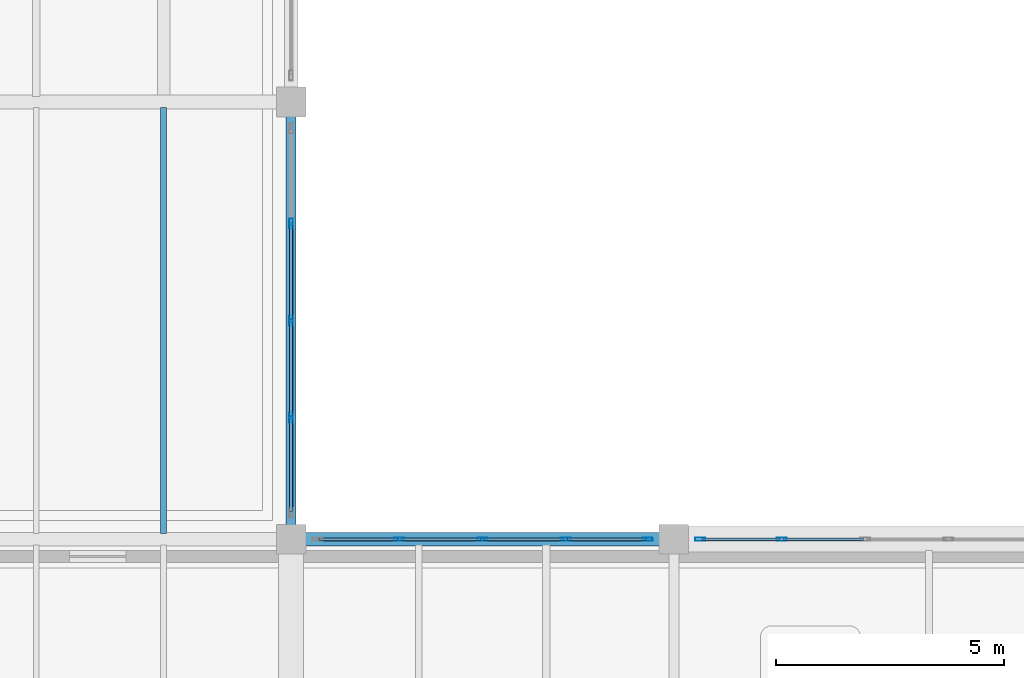
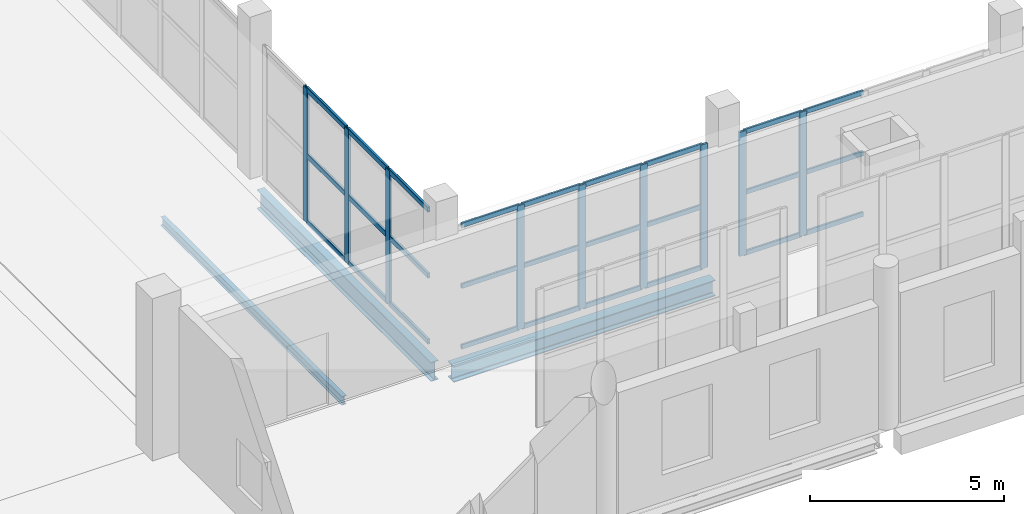
# One storey, part 18 of 73: 36 members, 3 beams, 3 elements without a shape of their own.
"""IFC4 building model written with IfcOpenShell, lengths in metres."""

import ifcopenshell
import ifcopenshell.guid

model = None  # the IFC model being written
_history = None  # IfcOwnerHistory: only IFC2X3 demands one
_inside = {}  # id of a spatial element -> (the spatial element, [elements in it])
_under = {}  # id of a project, library or spatial element -> (it, [spatial elements below it])
_declared = {}  # id of a project -> (the project, [libraries it declares])
_typed = {}  # id of a type object -> (the type object, [elements of that type])
_made_of = {}  # id of a material, layer set ... -> (it, [elements and type objects made of it])


def new_model(schema):
    """Start an empty IFC model of exactly this schema.

    Asked for "IFC4X3", IfcOpenShell would pick the latest addendum, in which some entities
    have other attributes; the version numbers below select the first issue.
    IFC2X3 requires an IfcOwnerHistory on every rooted entity: one is made here for all.
    """
    global model, _history
    if schema == "IFC4X3":
        model = ifcopenshell.file(schema_version=(4, 3, 0, 0))
    else:
        model = ifcopenshell.file(schema=schema)
    _inside.clear()
    _under.clear()
    _declared.clear()
    _typed.clear()
    _made_of.clear()
    _history = None
    if model.schema == "IFC2X3":
        org = make("IfcOrganization", Name="unknown")
        user = make(
            "IfcPersonAndOrganization",
            ThePerson=make("IfcPerson", FamilyName="unknown"),
            TheOrganization=org,
        )
        app = make(
            "IfcApplication",
            ApplicationDeveloper=org,
            Version="unknown",
            ApplicationFullName="unknown",
            ApplicationIdentifier="unknown",
        )
        _history = make(
            "IfcOwnerHistory",
            OwningUser=user,
            OwningApplication=app,
            ChangeAction="ADDED",
            CreationDate=0,
        )
    return model


def make(cls, **values):
    """One entity of the class cls with the attributes given. An attribute that is None is left unset."""
    return model.create_entity(
        cls, **{name: value for name, value in values.items() if value is not None}
    )


def rooted(cls, **values):
    """An entity with a GlobalId (a new one), such as an element, a storey or a relation."""
    return make(cls, GlobalId=ifcopenshell.guid.new(), OwnerHistory=_history, **values)


def si_unit(unit_type, name, prefix=None):
    """IfcSIUnit, for example si_unit("LENGTHUNIT", "METRE", prefix="MILLI")."""
    return make("IfcSIUnit", UnitType=unit_type, Prefix=prefix, Name=name)


def assignment(units):
    """IfcUnitAssignment: the units of a project."""
    return None if units is None else make("IfcUnitAssignment", Units=units)


def point(xyz):
    """IfcCartesianPoint."""
    return None if xyz is None else make("IfcCartesianPoint", Coordinates=xyz)


def direction(xyz):
    """IfcDirection."""
    return None if xyz is None else make("IfcDirection", DirectionRatios=xyz)


def frame(location, z_axis=None, x_axis=None):
    """IfcAxis2Placement3D, a coordinate frame: its origin and axes. An axis left out is left unset."""
    return make(
        "IfcAxis2Placement3D",
        Location=point(location),
        Axis=direction(z_axis),
        RefDirection=direction(x_axis),
    )


def frame_2d(location, x_axis=None):
    """IfcAxis2Placement2D, a coordinate frame in the plane: its origin and x axis."""
    return make(
        "IfcAxis2Placement2D", Location=point(location), RefDirection=direction(x_axis)
    )


def origin():
    """The frame at (0, 0, 0) with its axes left unset."""
    return frame((0.0, 0.0, 0.0))


def origin_2d():
    """The frame at (0, 0) in the plane with its x axis left unset."""
    return frame_2d((0.0, 0.0))


def place(relative_to, where):
    """IfcLocalPlacement: puts the frame where relative to a parent placement (None: the world)."""
    return make(
        "IfcLocalPlacement", PlacementRelTo=relative_to, RelativePlacement=where
    )


def context(
    kind, dimensions, precision=None, world=None, true_north=None, identifier=None
):
    """IfcGeometricRepresentationContext, for example the 3D "Model" context."""
    return make(
        "IfcGeometricRepresentationContext",
        ContextIdentifier=identifier,
        ContextType=kind,
        CoordinateSpaceDimension=dimensions,
        Precision=precision,
        WorldCoordinateSystem=world,
        TrueNorth=true_north,
    )


def subcontext(parent, identifier, kind, view, scale=None):
    """IfcGeometricRepresentationSubContext, for example "Body" below "Model"."""
    return make(
        "IfcGeometricRepresentationSubContext",
        ContextIdentifier=identifier,
        ContextType=kind,
        ParentContext=parent,
        TargetScale=scale,
        TargetView=view,
    )


def project(units=None, contexts=None):
    """IfcProject with its units and contexts."""
    return rooted(
        "IfcProject",
        Name="project",
        RepresentationContexts=contexts,
        UnitsInContext=assignment(units),
    )


def spatial(cls, under=None, at=None, **own):
    """A site, building, storey or space (cls), placed at a placement, below another one or the project."""
    s = rooted(cls, ObjectPlacement=at, **own)
    if under is not None:
        _under.setdefault(under.id(), (under, []))[1].append(s)
    return s


def profile(cls, at=None, kind="AREA", **sizes):
    """A parametric profile (cls). Its sizes go by their IFC names, for example OverallWidth=200.0."""
    return make(cls, ProfileType=kind, Position=at, **sizes)


def hollow_rectangle(**sizes):
    """IfcRectangleHollowProfileDef."""
    return profile("IfcRectangleHollowProfileDef", **sizes)


def i_section(**sizes):
    """IfcIShapeProfileDef."""
    return profile("IfcIShapeProfileDef", **sizes)


def extrude(swept, where, along, depth):
    """IfcExtrudedAreaSolid: the profile swept, set in the frame where, extruded along a direction by depth."""
    return make(
        "IfcExtrudedAreaSolid",
        SweptArea=swept,
        Position=where,
        ExtrudedDirection=direction(along),
        Depth=depth,
    )


def shape(context_of_items, identifier, shape_type, items):
    """IfcShapeRepresentation: the items that make up one representation, for example the "Body"."""
    return make(
        "IfcShapeRepresentation",
        ContextOfItems=context_of_items,
        RepresentationIdentifier=identifier,
        RepresentationType=shape_type,
        Items=items,
    )


def material(Name=None, Category=None):
    """IfcMaterial."""
    return make("IfcMaterial", Name=Name, Category=Category)


def layer(
    of_material, thickness, ventilated=None, Name=None, Category=None, Priority=None
):
    """IfcMaterialLayer: one layer of a wall or slab, of a material (None: an air gap)."""
    return make(
        "IfcMaterialLayer",
        Material=of_material,
        LayerThickness=thickness,
        IsVentilated=ventilated,
        Name=Name,
        Category=Category,
        Priority=Priority,
    )


def layer_set(layers, Name=None):
    """IfcMaterialLayerSet."""
    return make("IfcMaterialLayerSet", MaterialLayers=layers, LayerSetName=Name)


def material_profile(
    of_material, cross_section, Name=None, Category=None, Priority=None
):
    """IfcMaterialProfile: a cross section and its material."""
    return make(
        "IfcMaterialProfile",
        Name=Name,
        Material=of_material,
        Profile=cross_section,
        Priority=Priority,
        Category=Category,
    )


def profile_set(profiles, Name=None, composite=None):
    """IfcMaterialProfileSet."""
    return make(
        "IfcMaterialProfileSet",
        Name=Name,
        MaterialProfiles=profiles,
        CompositeProfile=composite,
    )


def made_of(thing, what):
    """Note that an element or type object is made of a material, layer set ...; save() writes the relation."""
    if what is not None:
        _made_of.setdefault(what.id(), (what, []))[1].append(thing)
    return thing


def type_object(cls, material=None, **own):
    """A type object (cls), such as IfcWallType, which elements share."""
    return made_of(rooted(cls, **own), material)


def element(
    cls,
    number,
    at=None,
    inside=None,
    cuts=None,
    type_object=None,
    material=None,
    context=None,
    identifier="Body",
    shape_type=None,
    held_by="IfcProductDefinitionShape",
    body=None,
    shapes=None,
    **own,
):
    """One element of the class cls, such as IfcWall. Its Tag is "e" and its number.

    at: its placement. inside: the storey or other place that contains it. cuts: it is an
    opening in that element (IfcRelVoidsElement). A single representation is given by context,
    identifier, shape_type and body (its items); several are given by shapes. held_by: the class
    of the entity that holds the representations. save() writes the other relations.
    """
    e = rooted(cls, Tag="e%d" % number, ObjectPlacement=at, **own)
    if body is not None:
        shapes = [shape(context, identifier, shape_type, body)]
    if shapes is not None:
        e.Representation = make(held_by, Representations=shapes)
    if inside is not None:
        _inside.setdefault(inside.id(), (inside, []))[1].append(e)
    if cuts is not None:
        rooted(
            "IfcRelVoidsElement", RelatingBuildingElement=cuts, RelatedOpeningElement=e
        )
    if type_object is not None:
        _typed.setdefault(type_object.id(), (type_object, []))[1].append(e)
    return made_of(e, material)


def aggregate(whole, parts):
    """IfcRelAggregates: a whole, such as a stair, and the parts it consists of."""
    return rooted("IfcRelAggregates", RelatingObject=whole, RelatedObjects=parts)


def save(model, path):
    """Write the relations noted so far, then the file.

    IfcRelAggregates (storeys below a building ...), IfcRelContainedInSpatialStructure (elements
    in a storey), IfcRelDefinesByType, IfcRelAssociatesMaterial and IfcRelDeclares: one each for
    every whole, place, type object, material and project.
    """
    for whole, parts in _under.values():
        aggregate(whole, parts)
    for where, things in _inside.values():
        rooted(
            "IfcRelContainedInSpatialStructure",
            RelatedElements=things,
            RelatingStructure=where,
        )
    for kind, things in _typed.values():
        rooted("IfcRelDefinesByType", RelatedObjects=things, RelatingType=kind)
    for what, things in _made_of.values():
        rooted("IfcRelAssociatesMaterial", RelatedObjects=things, RelatingMaterial=what)
    for by, libraries in _declared.values():
        rooted("IfcRelDeclares", RelatingContext=by, RelatedDefinitions=libraries)
    model.write(path)


model = new_model("IFC4")

# Units and contexts
model_context = context("Model", 3, precision=1e-05, world=origin(), true_north=direction((0.0, 1.0)))
body_context = subcontext(model_context, "Body", "Model", "MODEL_VIEW")
ifc_project = project(units=[si_unit("LENGTHUNIT", "METRE"), si_unit("AREAUNIT", "SQUARE_METRE"), si_unit("VOLUMEUNIT", "CUBIC_METRE"), si_unit("PLANEANGLEUNIT", "RADIAN"), si_unit("MASSUNIT", "GRAM", prefix="KILO")], contexts=[model_context])

# Site, building, storey
site_placement = place(None, origin())
site = spatial("IfcSite", under=ifc_project, at=site_placement, CompositionType="ELEMENT")
building_placement = place(site_placement, origin())
building = spatial("IfcBuilding", under=site, at=building_placement, Name="Zulmaris Art Gallery", CompositionType="ELEMENT")
storey_placement = place(building_placement, frame((0.0, 0.0, 10.5)))
storey = spatial("IfcBuildingStorey", under=building, at=storey_placement, Name="L02", CompositionType="ELEMENT", Elevation=10.5)

# Beams
ifc_material_1 = material(Name="Steel S355J2", Category="steel")
ifc_material_profile_1 = material_profile(ifc_material_1, i_section(OverallWidth=0.219970703125, OverallDepth=0.60009765625, WebThickness=0.011962890625, FlangeThickness=0.01904296875, FilletRadius=0.02392578125, at=origin_2d()), Name="IPE 600")
ifc_profile_set_1 = profile_set([ifc_material_profile_1], Name="Steel S355J2")
beam_type_1 = type_object("IfcBeamType", Name="BEAM-BM07", PredefinedType="BEAM", material=ifc_profile_set_1)
beam_1_placement = place(storey_placement, frame((91.199951171875, 21.909912109375, -0.699951171875), z_axis=(0.0, 1.0, 0.0), x_axis=(-1.0, 0.0, 0.0)))
element("IfcBeam", 1, at=beam_1_placement, inside=storey, type_object=beam_type_1, Name="L02 Y-girder (x=91.2, 21.6..31.2)", PredefinedType="BEAM", context=body_context, shape_type="SweptSolid", body=[
    extrude(i_section(OverallWidth=0.219970703125, OverallDepth=0.60009765625, WebThickness=0.011962890625, FlangeThickness=0.01904296875, FilletRadius=0.02392578125, at=origin_2d()), origin(), (0.0, 0.0, 1.0), 8.97998046875),
])
ifc_material_profile_2 = material_profile(ifc_material_1, i_section(OverallWidth=0.300048828125, OverallDepth=0.5, WebThickness=0.014404296875, FlangeThickness=0.028076171875, FilletRadius=0.027099609375, at=origin_2d()), Name="HEB 500")
ifc_profile_set_2 = profile_set([ifc_material_profile_2], Name="Steel S355J2")
beam_type_2 = type_object("IfcBeamType", Name="BEAM-BM14", PredefinedType="BEAM", material=ifc_profile_set_2)
beam_2_placement = place(storey_placement, frame((91.510009765625, 21.60009765625, -0.64501953125), z_axis=(1.0, 0.0, 0.0), x_axis=(0.0, 1.0, 0.0)))
element("IfcBeam", 2, at=beam_2_placement, inside=storey, type_object=beam_type_2, Name="L02 X-girder (91.2..99.6, y=21.6)", PredefinedType="BEAM", context=body_context, shape_type="SweptSolid", body=[
    extrude(i_section(OverallWidth=0.300048828125, OverallDepth=0.5, WebThickness=0.014404296875, FlangeThickness=0.028076171875, FilletRadius=0.027099609375, at=origin_2d()), origin(), (0.0, 0.0, 1.0), 7.780029296875),
])
ifc_material_profile_3 = material_profile(ifc_material_1, i_section(OverallWidth=0.135009765625, OverallDepth=0.27001953125, WebThickness=0.006591796875, FlangeThickness=0.01025390625, FilletRadius=0.014892578125, at=origin_2d()), Name="IPE 270")
ifc_profile_set_3 = profile_set([ifc_material_profile_3], Name="Steel S355J2")
beam_type_3 = type_object("IfcBeamType", Name="BEAM-JS02", PredefinedType="JOIST", material=ifc_profile_set_3)
beam_3_placement = place(storey_placement, frame((88.39990234375, 21.72509765625, -0.534912109375), z_axis=(0.0, 1.0, 0.0), x_axis=(-1.0, 0.0, 0.0)))
element("IfcBeam", 3, at=beam_3_placement, inside=storey, type_object=beam_type_3, Name="L02 secondary joist at x=88.4", PredefinedType="JOIST", context=body_context, shape_type="SweptSolid", body=[
    extrude(i_section(OverallWidth=0.135009765625, OverallDepth=0.27001953125, WebThickness=0.006591796875, FlangeThickness=0.01025390625, FilletRadius=0.014892578125, at=origin_2d()), origin(), (0.0, 0.0, 1.0), 9.349853515625),
])

# Curtain wall, members
ifc_material_2 = material(Name="Cloister & Court Glazed Curtain Wall", Category="aluminium")
ifc_layer = layer(ifc_material_2, 0.179931640625)
ifc_layer_set = layer_set([ifc_layer], Name="Cloister & Court Glazed Curtain Wall")
curtain_wall_type = type_object("IfcCurtainWallType", Name="CW-CW03", PredefinedType="NOTDEFINED", material=ifc_layer_set)
curtain_wall_1_placement = place(storey_placement, origin())
curtain_wall_1 = element("IfcCurtainWall", 4, at=curtain_wall_1_placement, inside=storey, type_object=curtain_wall_type, Name="L02 curtain wall 78", PredefinedType="NOTDEFINED")
ifc_material_3 = material(Name="Anodised Bronze Aluminium", Category="aluminium")
ifc_material_profile_4 = material_profile(ifc_material_3, hollow_rectangle(XDim=0.074951171875, YDim=0.219970703125, WallThickness=0.0048828125, InnerFilletRadius=0.007568359375, OuterFilletRadius=0.012451171875, at=origin_2d()), Name="ALU 75x220x5")
ifc_profile_set_4 = profile_set([ifc_material_profile_4], Name="Anodised Bronze Aluminium")
member_type_1 = type_object("IfcMemberType", Name="CWMUL-02", PredefinedType="MULLION", material=ifc_profile_set_4)
member_1_placement = place(storey_placement, frame((91.199951171875, 28.530029296875, 0.0), z_axis=(0.0, 0.0, 1.0), x_axis=(1.0, 0.0, 0.0)))
member_1 = element("IfcMember", 5, at=member_1_placement, type_object=member_type_1, Name="CW03 mullion 2", PredefinedType="MULLION", context=body_context, shape_type="SweptSolid", body=[
    extrude(hollow_rectangle(XDim=0.074951171875, YDim=0.219970703125, WallThickness=0.0048828125, InnerFilletRadius=0.007568359375, OuterFilletRadius=0.012451171875, at=origin_2d()), origin(), (0.0, 0.0, 1.0), 4.22998046875),
])
member_2_placement = place(storey_placement, frame((91.199951171875, 26.39990234375, 0.0), z_axis=(0.0, 0.0, 1.0), x_axis=(1.0, 0.0, 0.0)))
member_2 = element("IfcMember", 6, at=member_2_placement, type_object=member_type_1, Name="CW03 mullion 3", PredefinedType="MULLION", context=body_context, shape_type="SweptSolid", body=[
    extrude(hollow_rectangle(XDim=0.074951171875, YDim=0.219970703125, WallThickness=0.0048828125, InnerFilletRadius=0.007568359375, OuterFilletRadius=0.012451171875, at=origin_2d()), origin(), (0.0, 0.0, 1.0), 4.22998046875),
])
member_3_placement = place(storey_placement, frame((91.199951171875, 24.27001953125, 0.0), z_axis=(0.0, 0.0, 1.0), x_axis=(1.0, 0.0, 0.0)))
member_3 = element("IfcMember", 7, at=member_3_placement, type_object=member_type_1, Name="CW03 mullion 4", PredefinedType="MULLION", context=body_context, shape_type="SweptSolid", body=[
    extrude(hollow_rectangle(XDim=0.074951171875, YDim=0.219970703125, WallThickness=0.0048828125, InnerFilletRadius=0.007568359375, OuterFilletRadius=0.012451171875, at=origin_2d()), origin(), (0.0, 0.0, 1.0), 4.22998046875),
])

curtain_wall_2_placement = place(storey_placement, origin())
curtain_wall_2 = element("IfcCurtainWall", 8, at=curtain_wall_2_placement, inside=storey, type_object=curtain_wall_type, Name="L02 curtain wall 193", PredefinedType="NOTDEFINED")
member_4_placement = place(storey_placement, frame((93.570068359375, 21.60009765625, 0.0), z_axis=(0.0, 0.0, 1.0), x_axis=(0.0, 1.0, 0.0)))
member_4 = element("IfcMember", 9, at=member_4_placement, type_object=member_type_1, Name="CW03 mullion 2", PredefinedType="MULLION", context=body_context, shape_type="SweptSolid", body=[
    extrude(hollow_rectangle(XDim=0.074951171875, YDim=0.219970703125, WallThickness=0.0048828125, InnerFilletRadius=0.007568359375, OuterFilletRadius=0.012451171875, at=origin_2d()), origin(), (0.0, 0.0, 1.0), 3.89990234375),
])
member_5_placement = place(storey_placement, frame((95.39990234375, 21.60009765625, 0.0), z_axis=(0.0, 0.0, 1.0), x_axis=(0.0, 1.0, 0.0)))
member_5 = element("IfcMember", 10, at=member_5_placement, type_object=member_type_1, Name="CW03 mullion 3", PredefinedType="MULLION", context=body_context, shape_type="SweptSolid", body=[
    extrude(hollow_rectangle(XDim=0.074951171875, YDim=0.219970703125, WallThickness=0.0048828125, InnerFilletRadius=0.007568359375, OuterFilletRadius=0.012451171875, at=origin_2d()), origin(), (0.0, 0.0, 1.0), 3.89990234375),
])
member_6_placement = place(storey_placement, frame((97.22998046875, 21.60009765625, 0.0), z_axis=(0.0, 0.0, 1.0), x_axis=(0.0, 1.0, 0.0)))
member_6 = element("IfcMember", 11, at=member_6_placement, type_object=member_type_1, Name="CW03 mullion 4", PredefinedType="MULLION", context=body_context, shape_type="SweptSolid", body=[
    extrude(hollow_rectangle(XDim=0.074951171875, YDim=0.219970703125, WallThickness=0.0048828125, InnerFilletRadius=0.007568359375, OuterFilletRadius=0.012451171875, at=origin_2d()), origin(), (0.0, 0.0, 1.0), 3.89990234375),
])
member_7_placement = place(storey_placement, frame((99.0224609375, 21.60009765625, 0.0), z_axis=(0.0, 0.0, 1.0), x_axis=(0.0, 1.0, 0.0)))
member_7 = element("IfcMember", 12, at=member_7_placement, type_object=member_type_1, Name="CW03 mullion 5", PredefinedType="MULLION", context=body_context, shape_type="SweptSolid", body=[
    extrude(hollow_rectangle(XDim=0.074951171875, YDim=0.219970703125, WallThickness=0.0048828125, InnerFilletRadius=0.007568359375, OuterFilletRadius=0.012451171875, at=origin_2d()), origin(), (0.0, 0.0, 1.0), 3.89990234375),
])

curtain_wall_3_placement = place(storey_placement, origin())
curtain_wall_3 = element("IfcCurtainWall", 13, at=curtain_wall_3_placement, inside=storey, type_object=curtain_wall_type, Name="L02 curtain wall 194", PredefinedType="NOTDEFINED")
member_8_placement = place(storey_placement, frame((100.177490234375, 21.60009765625, 0.0), z_axis=(0.0, 0.0, 1.0), x_axis=(0.0, 1.0, 0.0)))
member_8 = element("IfcMember", 14, at=member_8_placement, type_object=member_type_1, Name="CW03 mullion 1", PredefinedType="MULLION", context=body_context, shape_type="SweptSolid", body=[
    extrude(hollow_rectangle(XDim=0.074951171875, YDim=0.219970703125, WallThickness=0.0048828125, InnerFilletRadius=0.007568359375, OuterFilletRadius=0.012451171875, at=origin_2d()), origin(), (0.0, 0.0, 1.0), 3.89990234375),
])
member_9_placement = place(storey_placement, frame((101.969970703125, 21.60009765625, 0.0), z_axis=(0.0, 0.0, 1.0), x_axis=(0.0, 1.0, 0.0)))
member_9 = element("IfcMember", 15, at=member_9_placement, type_object=member_type_1, Name="CW03 mullion 2", PredefinedType="MULLION", context=body_context, shape_type="SweptSolid", body=[
    extrude(hollow_rectangle(XDim=0.074951171875, YDim=0.219970703125, WallThickness=0.0048828125, InnerFilletRadius=0.007568359375, OuterFilletRadius=0.012451171875, at=origin_2d()), origin(), (0.0, 0.0, 1.0), 3.89990234375),
])

# Member
ifc_material_profile_5 = material_profile(ifc_material_3, hollow_rectangle(XDim=0.06494140625, YDim=0.14990234375, WallThickness=0.00390625, InnerFilletRadius=0.006103515625, OuterFilletRadius=0.010009765625, at=origin_2d()), Name="ALU 65x150x4")
ifc_profile_set_5 = profile_set([ifc_material_profile_5], Name="Anodised Bronze Aluminium")
member_type_2 = type_object("IfcMemberType", Name="CWTRN-01", PredefinedType="USERDEFINED", material=ifc_profile_set_5)
member_10_placement = place(storey_placement, frame((91.81494140625, 21.60009765625, 0.03759765625), z_axis=(1.0, 0.0, 0.0), x_axis=(0.0, 1.0, 0.0)))
member_10 = element("IfcMember", 16, at=member_10_placement, type_object=member_type_2, Name="CW03 transom 1.1", ObjectType="TRANSOM", PredefinedType="USERDEFINED", context=body_context, shape_type="SweptSolid", body=[
    extrude(hollow_rectangle(XDim=0.06494140625, YDim=0.14990234375, WallThickness=0.00390625, InnerFilletRadius=0.006103515625, OuterFilletRadius=0.010009765625, at=origin_2d()), origin(), (0.0, 0.0, 1.0), 1.717529296875),
])

member_11_placement = place(storey_placement, frame((91.81494140625, 21.60009765625, 1.949951171875), z_axis=(1.0, 0.0, 0.0), x_axis=(0.0, 1.0, 0.0)))
member_11 = element("IfcMember", 17, at=member_11_placement, type_object=member_type_2, Name="CW03 transom 1.2", ObjectType="TRANSOM", PredefinedType="USERDEFINED", context=body_context, shape_type="SweptSolid", body=[
    extrude(hollow_rectangle(XDim=0.06494140625, YDim=0.14990234375, WallThickness=0.00390625, InnerFilletRadius=0.006103515625, OuterFilletRadius=0.010009765625, at=origin_2d()), origin(), (0.0, 0.0, 1.0), 1.717529296875),
])

member_12_placement = place(storey_placement, frame((91.81494140625, 21.60009765625, 3.862548828125), z_axis=(1.0, 0.0, 0.0), x_axis=(0.0, 1.0, 0.0)))
member_12 = element("IfcMember", 18, at=member_12_placement, type_object=member_type_2, Name="CW03 transom 1.3", ObjectType="TRANSOM", PredefinedType="USERDEFINED", context=body_context, shape_type="SweptSolid", body=[
    extrude(hollow_rectangle(XDim=0.06494140625, YDim=0.14990234375, WallThickness=0.00390625, InnerFilletRadius=0.006103515625, OuterFilletRadius=0.010009765625, at=origin_2d()), origin(), (0.0, 0.0, 1.0), 1.717529296875),
])

member_13_placement = place(storey_placement, frame((93.607421875, 21.60009765625, 0.03759765625), z_axis=(1.0, 0.0, 0.0), x_axis=(0.0, 1.0, 0.0)))
member_13 = element("IfcMember", 19, at=member_13_placement, type_object=member_type_2, Name="CW03 transom 2.1", ObjectType="TRANSOM", PredefinedType="USERDEFINED", context=body_context, shape_type="SweptSolid", body=[
    extrude(hollow_rectangle(XDim=0.06494140625, YDim=0.14990234375, WallThickness=0.00390625, InnerFilletRadius=0.006103515625, OuterFilletRadius=0.010009765625, at=origin_2d()), origin(), (0.0, 0.0, 1.0), 1.755126953125),
])

member_14_placement = place(storey_placement, frame((93.607421875, 21.60009765625, 1.949951171875), z_axis=(1.0, 0.0, 0.0), x_axis=(0.0, 1.0, 0.0)))
member_14 = element("IfcMember", 20, at=member_14_placement, type_object=member_type_2, Name="CW03 transom 2.2", ObjectType="TRANSOM", PredefinedType="USERDEFINED", context=body_context, shape_type="SweptSolid", body=[
    extrude(hollow_rectangle(XDim=0.06494140625, YDim=0.14990234375, WallThickness=0.00390625, InnerFilletRadius=0.006103515625, OuterFilletRadius=0.010009765625, at=origin_2d()), origin(), (0.0, 0.0, 1.0), 1.755126953125),
])

member_15_placement = place(storey_placement, frame((93.607421875, 21.60009765625, 3.862548828125), z_axis=(1.0, 0.0, 0.0), x_axis=(0.0, 1.0, 0.0)))
member_15 = element("IfcMember", 21, at=member_15_placement, type_object=member_type_2, Name="CW03 transom 2.3", ObjectType="TRANSOM", PredefinedType="USERDEFINED", context=body_context, shape_type="SweptSolid", body=[
    extrude(hollow_rectangle(XDim=0.06494140625, YDim=0.14990234375, WallThickness=0.00390625, InnerFilletRadius=0.006103515625, OuterFilletRadius=0.010009765625, at=origin_2d()), origin(), (0.0, 0.0, 1.0), 1.755126953125),
])

member_16_placement = place(storey_placement, frame((95.4375, 21.60009765625, 0.03759765625), z_axis=(1.0, 0.0, 0.0), x_axis=(0.0, 1.0, 0.0)))
member_16 = element("IfcMember", 22, at=member_16_placement, type_object=member_type_2, Name="CW03 transom 3.1", ObjectType="TRANSOM", PredefinedType="USERDEFINED", context=body_context, shape_type="SweptSolid", body=[
    extrude(hollow_rectangle(XDim=0.06494140625, YDim=0.14990234375, WallThickness=0.00390625, InnerFilletRadius=0.006103515625, OuterFilletRadius=0.010009765625, at=origin_2d()), origin(), (0.0, 0.0, 1.0), 1.7548828125),
])

member_17_placement = place(storey_placement, frame((95.4375, 21.60009765625, 1.949951171875), z_axis=(1.0, 0.0, 0.0), x_axis=(0.0, 1.0, 0.0)))
member_17 = element("IfcMember", 23, at=member_17_placement, type_object=member_type_2, Name="CW03 transom 3.2", ObjectType="TRANSOM", PredefinedType="USERDEFINED", context=body_context, shape_type="SweptSolid", body=[
    extrude(hollow_rectangle(XDim=0.06494140625, YDim=0.14990234375, WallThickness=0.00390625, InnerFilletRadius=0.006103515625, OuterFilletRadius=0.010009765625, at=origin_2d()), origin(), (0.0, 0.0, 1.0), 1.7548828125),
])

member_18_placement = place(storey_placement, frame((95.4375, 21.60009765625, 3.862548828125), z_axis=(1.0, 0.0, 0.0), x_axis=(0.0, 1.0, 0.0)))
member_18 = element("IfcMember", 24, at=member_18_placement, type_object=member_type_2, Name="CW03 transom 3.3", ObjectType="TRANSOM", PredefinedType="USERDEFINED", context=body_context, shape_type="SweptSolid", body=[
    extrude(hollow_rectangle(XDim=0.06494140625, YDim=0.14990234375, WallThickness=0.00390625, InnerFilletRadius=0.006103515625, OuterFilletRadius=0.010009765625, at=origin_2d()), origin(), (0.0, 0.0, 1.0), 1.7548828125),
])

member_19_placement = place(storey_placement, frame((97.267578125, 21.60009765625, 0.03759765625), z_axis=(1.0, 0.0, 0.0), x_axis=(0.0, 1.0, 0.0)))
member_19 = element("IfcMember", 25, at=member_19_placement, type_object=member_type_2, Name="CW03 transom 4.1", ObjectType="TRANSOM", PredefinedType="USERDEFINED", context=body_context, shape_type="SweptSolid", body=[
    extrude(hollow_rectangle(XDim=0.06494140625, YDim=0.14990234375, WallThickness=0.00390625, InnerFilletRadius=0.006103515625, OuterFilletRadius=0.010009765625, at=origin_2d()), origin(), (0.0, 0.0, 1.0), 1.717529296875),
])

member_20_placement = place(storey_placement, frame((97.267578125, 21.60009765625, 1.949951171875), z_axis=(1.0, 0.0, 0.0), x_axis=(0.0, 1.0, 0.0)))
member_20 = element("IfcMember", 26, at=member_20_placement, type_object=member_type_2, Name="CW03 transom 4.2", ObjectType="TRANSOM", PredefinedType="USERDEFINED", context=body_context, shape_type="SweptSolid", body=[
    extrude(hollow_rectangle(XDim=0.06494140625, YDim=0.14990234375, WallThickness=0.00390625, InnerFilletRadius=0.006103515625, OuterFilletRadius=0.010009765625, at=origin_2d()), origin(), (0.0, 0.0, 1.0), 1.717529296875),
])

member_21_placement = place(storey_placement, frame((97.267578125, 21.60009765625, 3.862548828125), z_axis=(1.0, 0.0, 0.0), x_axis=(0.0, 1.0, 0.0)))
member_21 = element("IfcMember", 27, at=member_21_placement, type_object=member_type_2, Name="CW03 transom 4.3", ObjectType="TRANSOM", PredefinedType="USERDEFINED", context=body_context, shape_type="SweptSolid", body=[
    extrude(hollow_rectangle(XDim=0.06494140625, YDim=0.14990234375, WallThickness=0.00390625, InnerFilletRadius=0.006103515625, OuterFilletRadius=0.010009765625, at=origin_2d()), origin(), (0.0, 0.0, 1.0), 1.717529296875),
])

aggregate(curtain_wall_2, [member_4, member_5, member_6, member_7, member_10, member_11, member_12, member_13, member_14, member_15, member_16, member_17, member_18, member_19, member_20, member_21])

member_22_placement = place(storey_placement, frame((100.215087890625, 21.60009765625, 0.03759765625), z_axis=(1.0, 0.0, 0.0), x_axis=(0.0, 1.0, 0.0)))
member_22 = element("IfcMember", 28, at=member_22_placement, type_object=member_type_2, Name="CW03 transom 1.1", ObjectType="TRANSOM", PredefinedType="USERDEFINED", context=body_context, shape_type="SweptSolid", body=[
    extrude(hollow_rectangle(XDim=0.06494140625, YDim=0.14990234375, WallThickness=0.00390625, InnerFilletRadius=0.006103515625, OuterFilletRadius=0.010009765625, at=origin_2d()), origin(), (0.0, 0.0, 1.0), 1.717529296875),
])

member_23_placement = place(storey_placement, frame((100.215087890625, 21.60009765625, 1.949951171875), z_axis=(1.0, 0.0, 0.0), x_axis=(0.0, 1.0, 0.0)))
member_23 = element("IfcMember", 29, at=member_23_placement, type_object=member_type_2, Name="CW03 transom 1.2", ObjectType="TRANSOM", PredefinedType="USERDEFINED", context=body_context, shape_type="SweptSolid", body=[
    extrude(hollow_rectangle(XDim=0.06494140625, YDim=0.14990234375, WallThickness=0.00390625, InnerFilletRadius=0.006103515625, OuterFilletRadius=0.010009765625, at=origin_2d()), origin(), (0.0, 0.0, 1.0), 1.717529296875),
])

member_24_placement = place(storey_placement, frame((100.215087890625, 21.60009765625, 3.862548828125), z_axis=(1.0, 0.0, 0.0), x_axis=(0.0, 1.0, 0.0)))
member_24 = element("IfcMember", 30, at=member_24_placement, type_object=member_type_2, Name="CW03 transom 1.3", ObjectType="TRANSOM", PredefinedType="USERDEFINED", context=body_context, shape_type="SweptSolid", body=[
    extrude(hollow_rectangle(XDim=0.06494140625, YDim=0.14990234375, WallThickness=0.00390625, InnerFilletRadius=0.006103515625, OuterFilletRadius=0.010009765625, at=origin_2d()), origin(), (0.0, 0.0, 1.0), 1.717529296875),
])

member_25_placement = place(storey_placement, frame((102.007568359375, 21.60009765625, 0.03759765625), z_axis=(1.0, 0.0, 0.0), x_axis=(0.0, 1.0, 0.0)))
member_25 = element("IfcMember", 31, at=member_25_placement, type_object=member_type_2, Name="CW03 transom 2.1", ObjectType="TRANSOM", PredefinedType="USERDEFINED", context=body_context, shape_type="SweptSolid", body=[
    extrude(hollow_rectangle(XDim=0.06494140625, YDim=0.14990234375, WallThickness=0.00390625, InnerFilletRadius=0.006103515625, OuterFilletRadius=0.010009765625, at=origin_2d()), origin(), (0.0, 0.0, 1.0), 1.7548828125),
])

member_26_placement = place(storey_placement, frame((102.007568359375, 21.60009765625, 1.949951171875), z_axis=(1.0, 0.0, 0.0), x_axis=(0.0, 1.0, 0.0)))
member_26 = element("IfcMember", 32, at=member_26_placement, type_object=member_type_2, Name="CW03 transom 2.2", ObjectType="TRANSOM", PredefinedType="USERDEFINED", context=body_context, shape_type="SweptSolid", body=[
    extrude(hollow_rectangle(XDim=0.06494140625, YDim=0.14990234375, WallThickness=0.00390625, InnerFilletRadius=0.006103515625, OuterFilletRadius=0.010009765625, at=origin_2d()), origin(), (0.0, 0.0, 1.0), 1.7548828125),
])

member_27_placement = place(storey_placement, frame((102.007568359375, 21.60009765625, 3.862548828125), z_axis=(1.0, 0.0, 0.0), x_axis=(0.0, 1.0, 0.0)))
member_27 = element("IfcMember", 33, at=member_27_placement, type_object=member_type_2, Name="CW03 transom 2.3", ObjectType="TRANSOM", PredefinedType="USERDEFINED", context=body_context, shape_type="SweptSolid", body=[
    extrude(hollow_rectangle(XDim=0.06494140625, YDim=0.14990234375, WallThickness=0.00390625, InnerFilletRadius=0.006103515625, OuterFilletRadius=0.010009765625, at=origin_2d()), origin(), (0.0, 0.0, 1.0), 1.7548828125),
])

aggregate(curtain_wall_3, [member_8, member_9, member_22, member_23, member_24, member_25, member_26, member_27])

ifc_material_profile_6 = material_profile(ifc_material_3, hollow_rectangle(XDim=0.074951171875, YDim=0.159912109375, WallThickness=0.00390625, InnerFilletRadius=0.006103515625, OuterFilletRadius=0.010009765625, at=origin_2d()), Name="ALU 75x160x4")
ifc_profile_set_6 = profile_set([ifc_material_profile_6], Name="Anodised Bronze Aluminium")
member_type_3 = type_object("IfcMemberType", Name="CWTRN-02", PredefinedType="USERDEFINED", material=ifc_profile_set_6)
member_28_placement = place(storey_placement, frame((91.199951171875, 28.492431640625, 0.03759765625), z_axis=(0.0, -1.0, 0.0), x_axis=(1.0, 0.0, 0.0)))
member_28 = element("IfcMember", 34, at=member_28_placement, type_object=member_type_3, Name="CW03 transom 2.1", ObjectType="TRANSOM", PredefinedType="USERDEFINED", context=body_context, shape_type="SweptSolid", body=[
    extrude(hollow_rectangle(XDim=0.074951171875, YDim=0.159912109375, WallThickness=0.00390625, InnerFilletRadius=0.006103515625, OuterFilletRadius=0.010009765625, at=origin_2d()), origin(), (0.0, 0.0, 1.0), 2.054931640625),
])

member_29_placement = place(storey_placement, frame((91.199951171875, 28.492431640625, 2.114990234375), z_axis=(0.0, -1.0, 0.0), x_axis=(1.0, 0.0, 0.0)))
member_29 = element("IfcMember", 35, at=member_29_placement, type_object=member_type_3, Name="CW03 transom 2.2", ObjectType="TRANSOM", PredefinedType="USERDEFINED", context=body_context, shape_type="SweptSolid", body=[
    extrude(hollow_rectangle(XDim=0.074951171875, YDim=0.159912109375, WallThickness=0.00390625, InnerFilletRadius=0.006103515625, OuterFilletRadius=0.010009765625, at=origin_2d()), origin(), (0.0, 0.0, 1.0), 2.054931640625),
])

member_30_placement = place(storey_placement, frame((91.199951171875, 28.492431640625, 4.1923828125), z_axis=(0.0, -1.0, 0.0), x_axis=(1.0, 0.0, 0.0)))
member_30 = element("IfcMember", 36, at=member_30_placement, type_object=member_type_3, Name="CW03 transom 2.3", ObjectType="TRANSOM", PredefinedType="USERDEFINED", context=body_context, shape_type="SweptSolid", body=[
    extrude(hollow_rectangle(XDim=0.074951171875, YDim=0.159912109375, WallThickness=0.00390625, InnerFilletRadius=0.006103515625, OuterFilletRadius=0.010009765625, at=origin_2d()), origin(), (0.0, 0.0, 1.0), 2.054931640625),
])

member_31_placement = place(storey_placement, frame((91.199951171875, 26.362548828125, 0.03759765625), z_axis=(0.0, -1.0, 0.0), x_axis=(1.0, 0.0, 0.0)))
member_31 = element("IfcMember", 37, at=member_31_placement, type_object=member_type_3, Name="CW03 transom 3.1", ObjectType="TRANSOM", PredefinedType="USERDEFINED", context=body_context, shape_type="SweptSolid", body=[
    extrude(hollow_rectangle(XDim=0.074951171875, YDim=0.159912109375, WallThickness=0.00390625, InnerFilletRadius=0.006103515625, OuterFilletRadius=0.010009765625, at=origin_2d()), origin(), (0.0, 0.0, 1.0), 2.054931640625),
])

member_32_placement = place(storey_placement, frame((91.199951171875, 26.362548828125, 2.114990234375), z_axis=(0.0, -1.0, 0.0), x_axis=(1.0, 0.0, 0.0)))
member_32 = element("IfcMember", 38, at=member_32_placement, type_object=member_type_3, Name="CW03 transom 3.2", ObjectType="TRANSOM", PredefinedType="USERDEFINED", context=body_context, shape_type="SweptSolid", body=[
    extrude(hollow_rectangle(XDim=0.074951171875, YDim=0.159912109375, WallThickness=0.00390625, InnerFilletRadius=0.006103515625, OuterFilletRadius=0.010009765625, at=origin_2d()), origin(), (0.0, 0.0, 1.0), 2.054931640625),
])

member_33_placement = place(storey_placement, frame((91.199951171875, 26.362548828125, 4.1923828125), z_axis=(0.0, -1.0, 0.0), x_axis=(1.0, 0.0, 0.0)))
member_33 = element("IfcMember", 39, at=member_33_placement, type_object=member_type_3, Name="CW03 transom 3.3", ObjectType="TRANSOM", PredefinedType="USERDEFINED", context=body_context, shape_type="SweptSolid", body=[
    extrude(hollow_rectangle(XDim=0.074951171875, YDim=0.159912109375, WallThickness=0.00390625, InnerFilletRadius=0.006103515625, OuterFilletRadius=0.010009765625, at=origin_2d()), origin(), (0.0, 0.0, 1.0), 2.054931640625),
])

member_34_placement = place(storey_placement, frame((91.199951171875, 24.232421875, 0.03759765625), z_axis=(0.0, -1.0, 0.0), x_axis=(1.0, 0.0, 0.0)))
member_34 = element("IfcMember", 40, at=member_34_placement, type_object=member_type_3, Name="CW03 transom 4.1", ObjectType="TRANSOM", PredefinedType="USERDEFINED", context=body_context, shape_type="SweptSolid", body=[
    extrude(hollow_rectangle(XDim=0.074951171875, YDim=0.159912109375, WallThickness=0.00390625, InnerFilletRadius=0.006103515625, OuterFilletRadius=0.010009765625, at=origin_2d()), origin(), (0.0, 0.0, 1.0), 2.017333984375),
])

member_35_placement = place(storey_placement, frame((91.199951171875, 24.232421875, 2.114990234375), z_axis=(0.0, -1.0, 0.0), x_axis=(1.0, 0.0, 0.0)))
member_35 = element("IfcMember", 41, at=member_35_placement, type_object=member_type_3, Name="CW03 transom 4.2", ObjectType="TRANSOM", PredefinedType="USERDEFINED", context=body_context, shape_type="SweptSolid", body=[
    extrude(hollow_rectangle(XDim=0.074951171875, YDim=0.159912109375, WallThickness=0.00390625, InnerFilletRadius=0.006103515625, OuterFilletRadius=0.010009765625, at=origin_2d()), origin(), (0.0, 0.0, 1.0), 2.017333984375),
])

member_36_placement = place(storey_placement, frame((91.199951171875, 24.232421875, 4.1923828125), z_axis=(0.0, -1.0, 0.0), x_axis=(1.0, 0.0, 0.0)))
member_36 = element("IfcMember", 42, at=member_36_placement, type_object=member_type_3, Name="CW03 transom 4.3", ObjectType="TRANSOM", PredefinedType="USERDEFINED", context=body_context, shape_type="SweptSolid", body=[
    extrude(hollow_rectangle(XDim=0.074951171875, YDim=0.159912109375, WallThickness=0.00390625, InnerFilletRadius=0.006103515625, OuterFilletRadius=0.010009765625, at=origin_2d()), origin(), (0.0, 0.0, 1.0), 2.017333984375),
])

aggregate(curtain_wall_1, [member_1, member_2, member_3, member_28, member_29, member_30, member_31, member_32, member_33, member_34, member_35, member_36])

save(model, "model.ifc")
